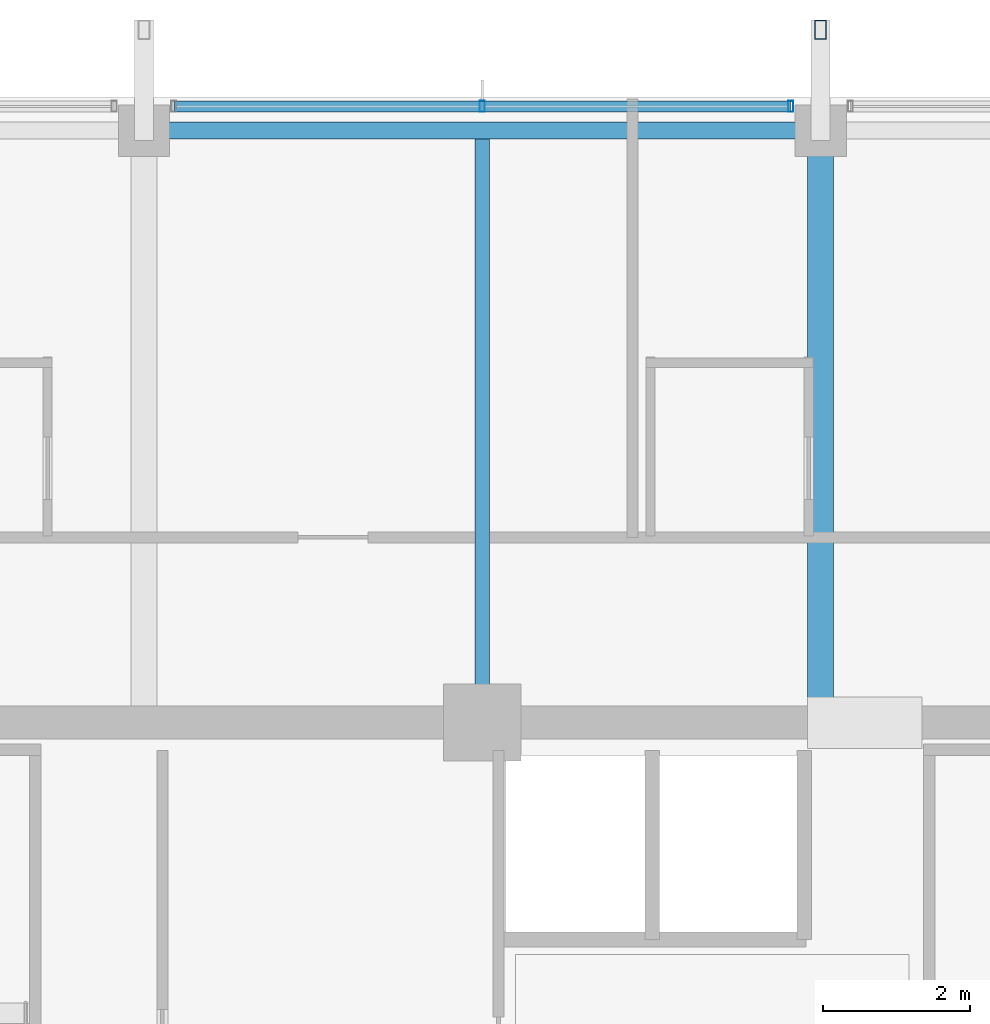
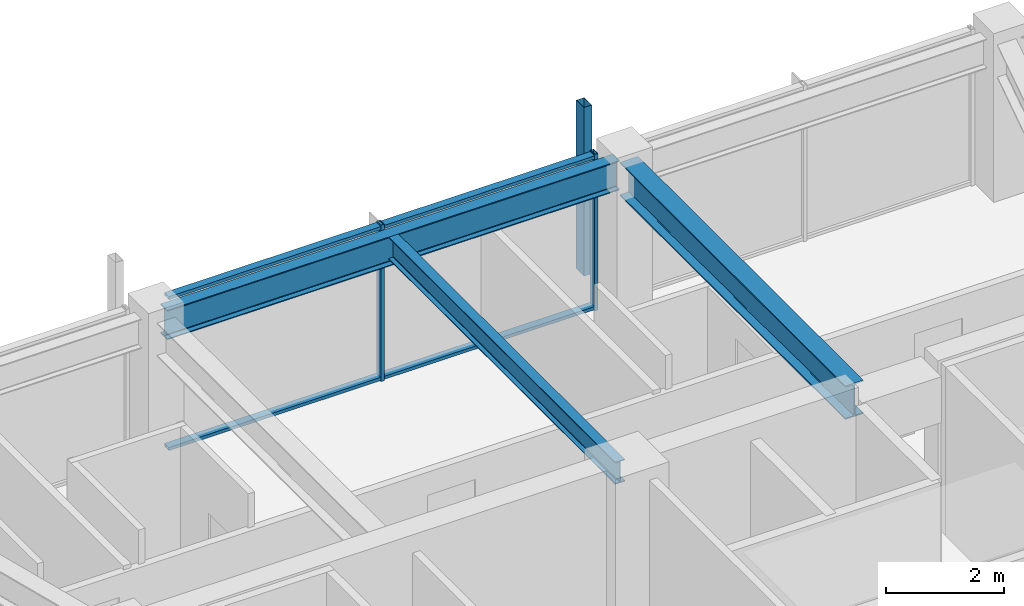
# One storey, part 16 of 29: 5 members, 3 beams, 1 element without a shape of its own.
"""IFC4 building model written with IfcOpenShell, lengths in metres."""

from ifc_helpers import new_model, si_unit, direction, frame, origin, origin_2d, place, context, subcontext, project, spatial, hollow_rectangle, i_section, extrude, material, material_profile, profile_set, type_object, element, aggregate, save


model = new_model("IFC4")

# Units and contexts
model_context = context("Model", 3, precision=1e-05, world=origin(), true_north=direction((0.0, 1.0)))
body_context = subcontext(model_context, "Body", "Model", "MODEL_VIEW")
ifc_project = project(units=[si_unit("LENGTHUNIT", "METRE"), si_unit("AREAUNIT", "SQUARE_METRE"), si_unit("VOLUMEUNIT", "CUBIC_METRE"), si_unit("PLANEANGLEUNIT", "RADIAN"), si_unit("MASSUNIT", "GRAM", prefix="KILO")], contexts=[model_context])

# Site, building, storey
site_placement = place(None, origin())
site = spatial("IfcSite", under=ifc_project, at=site_placement, CompositionType="ELEMENT")
building_placement = place(site_placement, origin())
building = spatial("IfcBuilding", under=site, at=building_placement, Name="Kolvaren Belvedere", CompositionType="ELEMENT")
storey_placement = place(building_placement, frame((0.0, 0.0, 244.39990234375)))
storey = spatial("IfcBuildingStorey", under=building, at=storey_placement, Name="L71", CompositionType="ELEMENT", Elevation=244.39990234375)

# Beams
ifc_material_1 = material(Name="Structural steel ASTM A992 Grade 50", Category="steel")
ifc_material_profile_1 = material_profile(ifc_material_1, i_section(OverallWidth=0.35498046875, OverallDepth=0.696044921875, WebThickness=0.015380859375, FlangeThickness=0.02490234375, FilletRadius=0.02197265625, at=origin_2d()), Name="W27X146")
ifc_profile_set_1 = profile_set([ifc_material_profile_1], Name="Structural steel ASTM A992 Grade 50")
beam_type_1 = type_object("IfcBeamType", Name="BM-GIRD-W27X146", PredefinedType="BEAM", material=ifc_profile_set_1)
beam_1_placement = place(storey_placement, frame((4.60009765625, 10.125, 2.902099609375), z_axis=(0.0, 1.0, 0.0), x_axis=(-1.0, 0.0, 0.0)))
element("IfcBeam", 1, at=beam_1_placement, inside=storey, type_object=beam_type_1, Name="L71 North Radial Girder P", PredefinedType="BEAM", context=body_context, shape_type="SweptSolid", body=[
    extrude(i_section(OverallWidth=0.35498046875, OverallDepth=0.696044921875, WebThickness=0.015380859375, FlangeThickness=0.02490234375, FilletRadius=0.02197265625, at=origin_2d()), origin(), (0.0, 0.0, 1.0), 7.66748046875),
])
ifc_material_2 = material(Name="Structural steel ASTM A992 Grade 50", Category="steel")
ifc_material_profile_2 = material_profile(ifc_material_2, i_section(OverallWidth=0.19091796875, OverallDepth=0.4599609375, WebThickness=0.010009765625, FlangeThickness=0.01611328125, FilletRadius=0.014892578125, at=origin_2d()), Name="W18X55")
ifc_profile_set_2 = profile_set([ifc_material_profile_2], Name="Structural steel ASTM A992 Grade 50")
beam_type_2 = type_object("IfcBeamType", Name="BM-JOIST-W18X55", PredefinedType="BEAM", material=ifc_profile_set_2)
beam_2_placement = place(storey_placement, frame((0.0, 10.125, 3.02001953125), z_axis=(0.0, 1.0, 0.0), x_axis=(-1.0, 0.0, 0.0)))
element("IfcBeam", 2, at=beam_2_placement, inside=storey, type_object=beam_type_2, Name="L71 North Centre Floor Beam", PredefinedType="BEAM", context=body_context, shape_type="SweptSolid", body=[
    extrude(i_section(OverallWidth=0.19091796875, OverallDepth=0.4599609375, WebThickness=0.010009765625, FlangeThickness=0.01611328125, FilletRadius=0.014892578125, at=origin_2d()), origin(), (0.0, 0.0, 1.0), 7.71044921875),
])
ifc_material_3 = material(Name="Structural steel ASTM A992 Grade 50", Category="steel")
ifc_material_profile_3 = material_profile(ifc_material_3, i_section(OverallWidth=0.22900390625, OverallDepth=0.612060546875, WebThickness=0.011962890625, FlangeThickness=0.01953125, FilletRadius=0.01806640625, at=origin_2d()), Name="W24X84")
ifc_profile_set_3 = profile_set([ifc_material_profile_3], Name="Structural steel ASTM A992 Grade 50")
beam_type_3 = type_object("IfcBeamType", Name="BM-SPAN-W24X84", PredefinedType="SPANDREL", material=ifc_profile_set_3)
beam_3_placement = place(storey_placement, frame((4.4423828125, 17.949951171875, 2.944091796875), z_axis=(-1.0, 0.0, 0.0), x_axis=(0.0, -1.0, 0.0)))
element("IfcBeam", 3, at=beam_3_placement, inside=storey, type_object=beam_type_3, Name="L71 Perimeter Spandrel N3-N2", PredefinedType="SPANDREL", context=body_context, shape_type="SweptSolid", body=[
    extrude(i_section(OverallWidth=0.22900390625, OverallDepth=0.612060546875, WebThickness=0.011962890625, FlangeThickness=0.01953125, FilletRadius=0.01806640625, at=origin_2d()), origin(), (0.0, 0.0, 1.0), 8.884765625),
])

# Curtain wall, members
ifc_material_4 = material(Name="Anodised pale-metal aluminium AA 6063-T6", Category="aluminium")
curtain_wall_type = type_object("IfcCurtainWallType", Name="CW-Z5-HIGH", PredefinedType="NOTDEFINED", material=ifc_material_4)
curtain_wall_placement = place(storey_placement, origin())
curtain_wall = element("IfcCurtainWall", 4, at=curtain_wall_placement, inside=storey, type_object=curtain_wall_type, Name="L71 Unitised Curtain Wall FCW-L71-N-B2", PredefinedType="NOTDEFINED")
ifc_material_5 = material(Name="Anodised pale-metal aluminium AA 6063-T6", Category="aluminium")
ifc_material_profile_4 = material_profile(ifc_material_5, hollow_rectangle(XDim=0.070068359375, YDim=0.14990234375, WallThickness=0.004150390625, at=origin_2d()), Name="ALU-MUL-150X70")
ifc_profile_set_4 = profile_set([ifc_material_profile_4], Name="Anodised pale-metal aluminium AA 6063-T6")
member_type_1 = type_object("IfcMemberType", Name="CW-MUL-150", PredefinedType="MULLION", material=ifc_profile_set_4)
member_1_placement = place(storey_placement, frame((0.0, 18.280029296875, 0.0), z_axis=(0.0, 0.0, 1.0), x_axis=(1.0, 0.0, 0.0)))
member_1 = element("IfcMember", 5, at=member_1_placement, type_object=member_type_1, Name="FCW-L71-N-B2 Unitised Mullion 2", PredefinedType="MULLION", context=body_context, shape_type="SweptSolid", body=[
    extrude(hollow_rectangle(XDim=0.070068359375, YDim=0.14990234375, WallThickness=0.004150390625, at=origin_2d()), origin(), (0.0, 0.0, 1.0), 3.25),
])
member_2_placement = place(storey_placement, frame((4.195068359375, 18.280029296875, 0.0), z_axis=(0.0, 0.0, 1.0), x_axis=(1.0, 0.0, 0.0)))
member_2 = element("IfcMember", 6, at=member_2_placement, type_object=member_type_1, Name="FCW-L71-N-B2 Unitised Mullion 3", PredefinedType="MULLION", context=body_context, shape_type="SweptSolid", body=[
    extrude(hollow_rectangle(XDim=0.070068359375, YDim=0.14990234375, WallThickness=0.004150390625, at=origin_2d()), origin(), (0.0, 0.0, 1.0), 3.25),
])
ifc_material_6 = material(Name="Anodised pale-metal aluminium AA 6063-T6", Category="aluminium")
ifc_material_profile_5 = material_profile(ifc_material_6, hollow_rectangle(XDim=0.06494140625, YDim=0.14990234375, WallThickness=0.00390625, at=origin_2d()), Name="ALU-TRN-150X65")
ifc_profile_set_5 = profile_set([ifc_material_profile_5], Name="Anodised pale-metal aluminium AA 6063-T6")
member_type_2 = type_object("IfcMemberType", Name="CW-TRN-150", PredefinedType="USERDEFINED", material=ifc_profile_set_5)
member_3_placement = place(storey_placement, frame((-4.195068359375, 18.280029296875, 0.06005859375), z_axis=(1.0, 0.0, 0.0), x_axis=(0.0, 0.0, 1.0)))
member_3 = element("IfcMember", 7, at=member_3_placement, type_object=member_type_2, Name="FCW-L71-N-B2 Sill Transom", ObjectType="TRANSOM", PredefinedType="USERDEFINED", context=body_context, shape_type="SweptSolid", body=[
    extrude(hollow_rectangle(XDim=0.06494140625, YDim=0.14990234375, WallThickness=0.00390625, at=origin_2d()), origin(), (0.0, 0.0, 1.0), 8.39013671875),
])
member_4_placement = place(storey_placement, frame((-4.195068359375, 18.280029296875, 3.190185546875), z_axis=(1.0, 0.0, 0.0), x_axis=(0.0, 0.0, 1.0)))
member_4 = element("IfcMember", 8, at=member_4_placement, type_object=member_type_2, Name="FCW-L71-N-B2 Head Transom", ObjectType="TRANSOM", PredefinedType="USERDEFINED", context=body_context, shape_type="SweptSolid", body=[
    extrude(hollow_rectangle(XDim=0.06494140625, YDim=0.14990234375, WallThickness=0.00390625, at=origin_2d()), origin(), (0.0, 0.0, 1.0), 8.39013671875),
])
aggregate(curtain_wall, [member_1, member_2, member_3, member_4])

# Member
ifc_material_7 = material(Name="Anodised pale-metal aluminium AA 6063-T6", Category="aluminium")
ifc_material_profile_6 = material_profile(ifc_material_7, hollow_rectangle(XDim=0.159912109375, YDim=0.260009765625, WallThickness=0.006591796875, at=origin_2d()), Name="ALU-PF-260X160")
ifc_profile_set_6 = profile_set([ifc_material_profile_6], Name="Anodised pale-metal aluminium AA 6063-T6")
member_type_3 = type_object("IfcMemberType", Name="PF-FRAME-260", PredefinedType="USERDEFINED", material=ifc_profile_set_6)
member_5_placement = place(storey_placement, frame((4.60009765625, 19.320068359375, 0.0), z_axis=(0.0, 0.0, 1.0), x_axis=(1.0, 0.0, 0.0)))
element("IfcMember", 9, at=member_5_placement, inside=storey, type_object=member_type_3, Name="L71 Outboard Picture-Frame Vertical N2", ObjectType="PICTURE FRAME FIN", PredefinedType="USERDEFINED", context=body_context, shape_type="SweptSolid", body=[
    extrude(hollow_rectangle(XDim=0.159912109375, YDim=0.260009765625, WallThickness=0.006591796875, at=origin_2d()), origin(), (0.0, 0.0, 1.0), 3.5),
])

save(model, "model.ifc")
